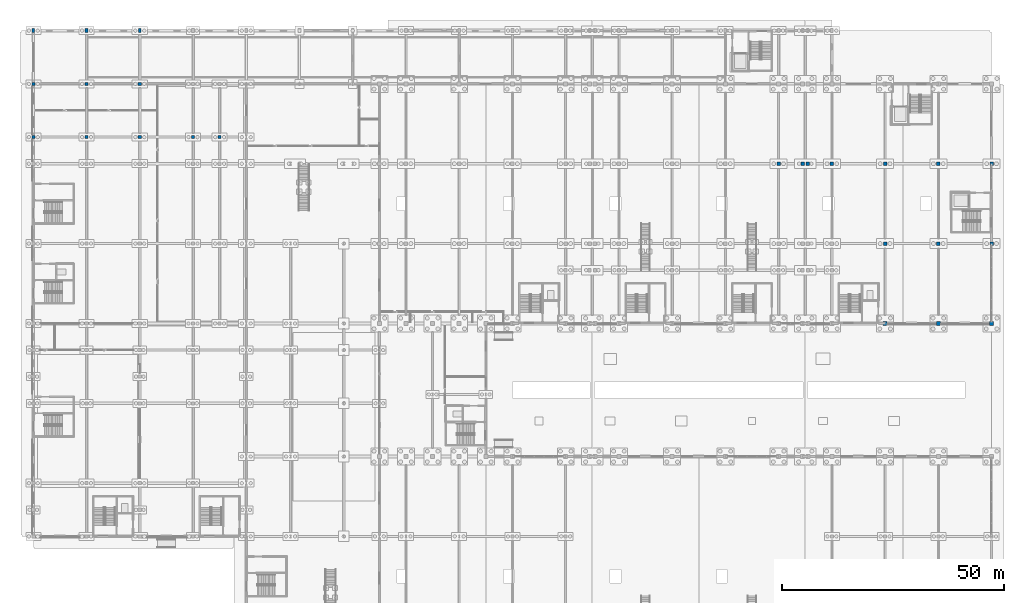
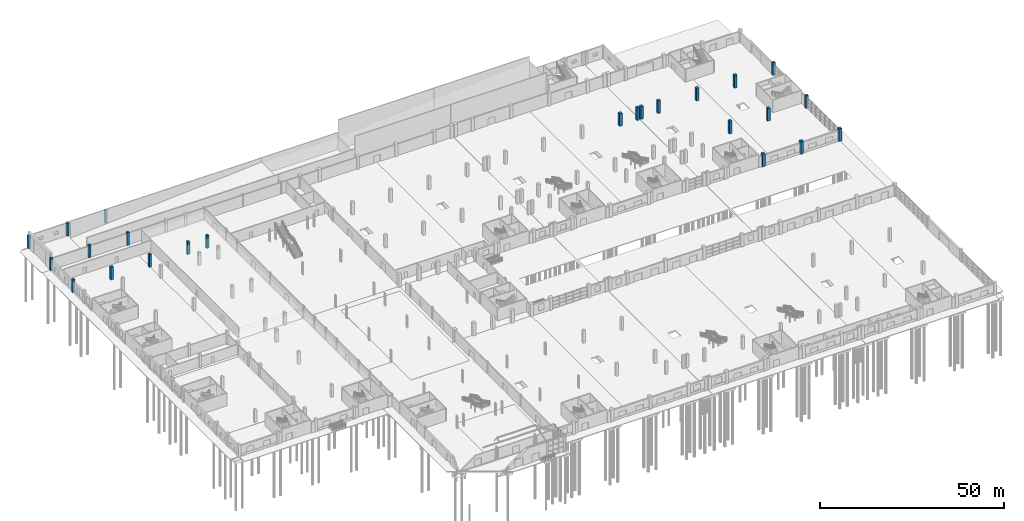
# One storey, part 32 of 77: 24 columns.
"""IFC4 building model written with IfcOpenShell, lengths in metres."""

from ifc_helpers import new_model, si_unit, direction, frame, origin, origin_2d, place, context, subcontext, project, spatial, rectangle, extrude, material, material_profile, profile_set, type_object, element, save


model = new_model("IFC4")

# Units and contexts
model_context = context("Model", 3, precision=1e-05, world=origin(), true_north=direction((0.0, 1.0)))
body_context = subcontext(model_context, "Body", "Model", "MODEL_VIEW")
ifc_project = project(units=[si_unit("LENGTHUNIT", "METRE"), si_unit("AREAUNIT", "SQUARE_METRE"), si_unit("VOLUMEUNIT", "CUBIC_METRE"), si_unit("PLANEANGLEUNIT", "RADIAN"), si_unit("MASSUNIT", "GRAM", prefix="KILO")], contexts=[model_context])

# Site, building, storey
site_placement = place(None, origin())
site = spatial("IfcSite", under=ifc_project, at=site_placement, CompositionType="ELEMENT")
building_placement = place(site_placement, origin())
building = spatial("IfcBuilding", under=site, at=building_placement, Name="Zilviju Railside Exhibition Hall", CompositionType="ELEMENT")
storey_placement = place(building_placement, origin())
storey = spatial("IfcBuildingStorey", under=building, at=storey_placement, Name="L01", CompositionType="ELEMENT", Elevation=0.0)

# Columns
ifc_material_1 = material(Name="Concrete C35/45", Category="concrete")
ifc_material_profile_1 = material_profile(ifc_material_1, rectangle(XDim=0.699951171875, YDim=0.699951171875, at=origin_2d()), Name="RC COL 700x700")
ifc_profile_set_1 = profile_set([ifc_material_profile_1], Name="Concrete C35/45")
column_type_1 = type_object("IfcColumnType", Name="COL-RC-700", PredefinedType="COLUMN", material=ifc_profile_set_1)
for number, where, z_axis, x_axis, name in (
    (1, (0.0, 126.0, 0.0), (0.0, 0.0, 1.0), (1.0, 0.0, 0.0), "Structural Column L01 (0.0, 126.0)"),
    (2, (12.0, 126.0, 0.0), (0.0, 0.0, 1.0), (1.0, 0.0, 0.0), "Structural Column L01 (12.0, 126.0)"),
    (3, (24.0, 126.0, 0.0), (0.0, 0.0, 1.0), (1.0, 0.0, 0.0), "Structural Column L01 (24.0, 126.0)"),
    (4, (36.0, 126.0, 0.0), (0.0, 0.0, 1.0), (1.0, 0.0, 0.0), "Structural Column L01 (36.0, 126.0)"),
    (5, (42.0, 126.0, 0.0), (0.0, 0.0, 1.0), (1.0, 0.0, 0.0), "Structural Column L01 (42.0, 126.0)"),
    (6, (0.0, 138.0, 0.0), (0.0, 0.0, 1.0), (1.0, 0.0, 0.0), "Structural Column L01 (0.0, 138.0)"),
    (7, (12.0, 138.0, 0.0), (0.0, 0.0, 1.0), (1.0, 0.0, 0.0), "Structural Column L01 (12.0, 138.0)"),
    (8, (24.0, 138.0, 0.0), (0.0, 0.0, 1.0), (1.0, 0.0, 0.0), "Structural Column L01 (24.0, 138.0)"),
):
    element("IfcColumn", number, at=place(storey_placement, frame(where, z_axis=z_axis, x_axis=x_axis)), inside=storey, type_object=column_type_1, Name=name, PredefinedType="COLUMN", context=body_context, shape_type="SweptSolid", body=[
        extrude(rectangle(XDim=0.699951171875, YDim=0.699951171875, at=origin_2d()), origin(), (0.0, 0.0, 1.0), 4.199951171875),
    ])
ifc_material_2 = material(Name="Concrete C40/50", Category="concrete")
ifc_material_profile_2 = material_profile(ifc_material_2, rectangle(XDim=0.800048828125, YDim=0.800048828125, at=origin_2d()), Name="RC COL 800x800")
ifc_profile_set_2 = profile_set([ifc_material_profile_2], Name="Concrete C40/50")
column_type_2 = type_object("IfcColumnType", Name="COL-RC-800", PredefinedType="COLUMN", material=ifc_profile_set_2)
for number, where, z_axis, x_axis, name in (
    (9, (192.0, 102.0, 0.0), (0.0, 0.0, 1.0), (1.0, 0.0, 0.0), "Structural Column L01 (192.0, 102.0)"),
    (10, (204.0, 102.0, 0.0), (0.0, 0.0, 1.0), (1.0, 0.0, 0.0), "Structural Column L01 (204.0, 102.0)"),
    (11, (216.0, 102.0, 0.0), (0.0, 0.0, 1.0), (1.0, 0.0, 0.0), "Structural Column L01 (216.0, 102.0)"),
    (12, (168.0, 120.0, 0.0), (0.0, 0.0, 1.0), (1.0, 0.0, 0.0), "Structural Column L01 (168.0, 120.0)"),
    (13, (173.39990234375, 120.0, 0.0), (0.0, 0.0, 1.0), (1.0, 0.0, 0.0), "Structural Column L01 (173.4, 120.0)"),
    (14, (174.60009765625, 120.0, 0.0), (0.0, 0.0, 1.0), (1.0, 0.0, 0.0), "Structural Column L01 (174.6, 120.0)"),
    (15, (180.0, 120.0, 0.0), (0.0, 0.0, 1.0), (1.0, 0.0, 0.0), "Structural Column L01 (180.0, 120.0)"),
    (16, (192.0, 120.0, 0.0), (0.0, 0.0, 1.0), (1.0, 0.0, 0.0), "Structural Column L01 (192.0, 120.0)"),
    (17, (204.0, 120.0, 0.0), (0.0, 0.0, 1.0), (1.0, 0.0, 0.0), "Structural Column L01 (204.0, 120.0)"),
    (18, (216.0, 120.0, 0.0), (0.0, 0.0, 1.0), (1.0, 0.0, 0.0), "Structural Column L01 (216.0, 120.0)"),
):
    element("IfcColumn", number, at=place(storey_placement, frame(where, z_axis=z_axis, x_axis=x_axis)), inside=storey, type_object=column_type_2, Name=name, PredefinedType="COLUMN", context=body_context, shape_type="SweptSolid", body=[
        extrude(rectangle(XDim=0.800048828125, YDim=0.800048828125, at=origin_2d()), origin(), (0.0, 0.0, 1.0), 4.199951171875),
    ])
ifc_material_profile_3 = material_profile(ifc_material_2, rectangle(XDim=0.89990234375, YDim=0.89990234375, at=origin_2d()), Name="RC COL 900x900")
ifc_profile_set_3 = profile_set([ifc_material_profile_3], Name="Concrete C40/50")
column_type_3 = type_object("IfcColumnType", Name="COL-RC-900", PredefinedType="COLUMN", material=ifc_profile_set_3)
for number, where, z_axis, x_axis, name in (
    (19, (192.0, 84.0, 0.0), (0.0, 0.0, 1.0), (1.0, 0.0, 0.0), "Structural Column L01 (192.0, 84.0)"),
    (20, (204.0, 84.0, 0.0), (0.0, 0.0, 1.0), (1.0, 0.0, 0.0), "Structural Column L01 (204.0, 84.0)"),
    (21, (216.0, 84.0, 0.0), (0.0, 0.0, 1.0), (1.0, 0.0, 0.0), "Structural Column L01 (216.0, 84.0)"),
):
    element("IfcColumn", number, at=place(storey_placement, frame(where, z_axis=z_axis, x_axis=x_axis)), inside=storey, type_object=column_type_3, Name=name, PredefinedType="COLUMN", context=body_context, shape_type="SweptSolid", body=[
        extrude(rectangle(XDim=0.89990234375, YDim=0.89990234375, at=origin_2d()), origin(), (0.0, 0.0, 1.0), 4.199951171875),
    ])
ifc_material_profile_4 = material_profile(ifc_material_2, rectangle(XDim=0.60009765625, YDim=0.89990234375, at=origin_2d()), Name="RC COL 600x900")
ifc_profile_set_4 = profile_set([ifc_material_profile_4], Name="Concrete C40/50")
column_type_4 = type_object("IfcColumnType", Name="COL-RC-900x600", PredefinedType="COLUMN", material=ifc_profile_set_4)
for number, where, z_axis, x_axis, name in (
    (22, (0.0, 150.0, 0.0), (0.0, 0.0, 1.0), (1.0, 0.0, 0.0), "Structural Column L01 (0.0, 150.0)"),
    (23, (12.0, 150.0, 0.0), (0.0, 0.0, 1.0), (1.0, 0.0, 0.0), "Structural Column L01 (12.0, 150.0)"),
    (24, (24.0, 150.0, 0.0), (0.0, 0.0, 1.0), (1.0, 0.0, 0.0), "Structural Column L01 (24.0, 150.0)"),
):
    element("IfcColumn", number, at=place(storey_placement, frame(where, z_axis=z_axis, x_axis=x_axis)), inside=storey, type_object=column_type_4, Name=name, PredefinedType="COLUMN", context=body_context, shape_type="SweptSolid", body=[
        extrude(rectangle(XDim=0.60009765625, YDim=0.89990234375, at=origin_2d()), origin(), (0.0, 0.0, 1.0), 4.199951171875),
    ])

save(model, "model.ifc")
